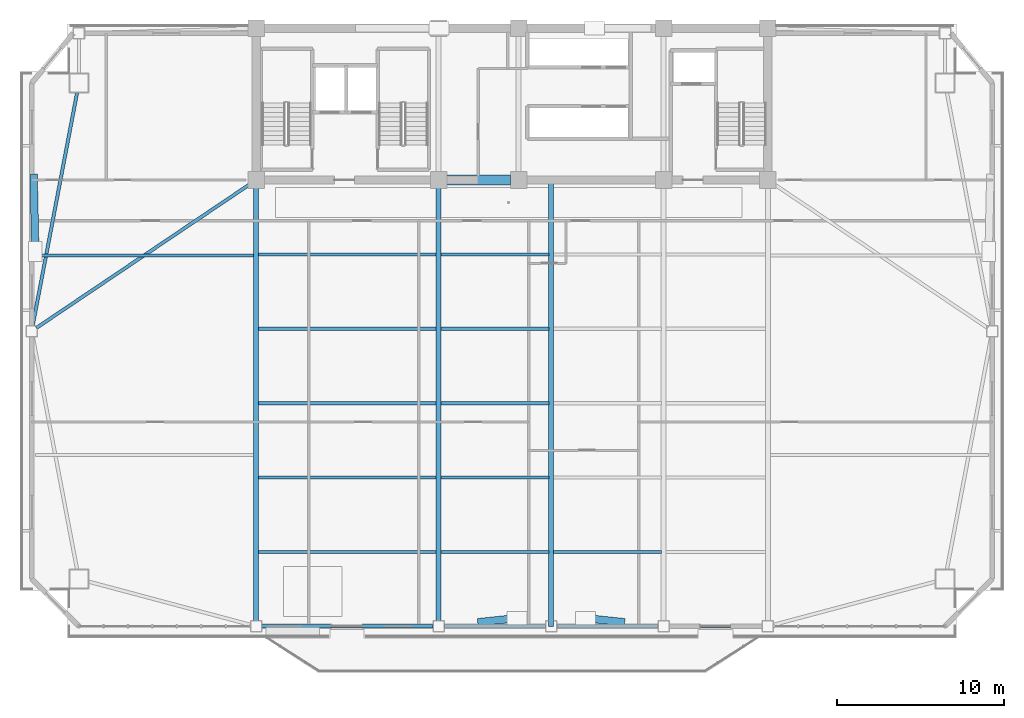
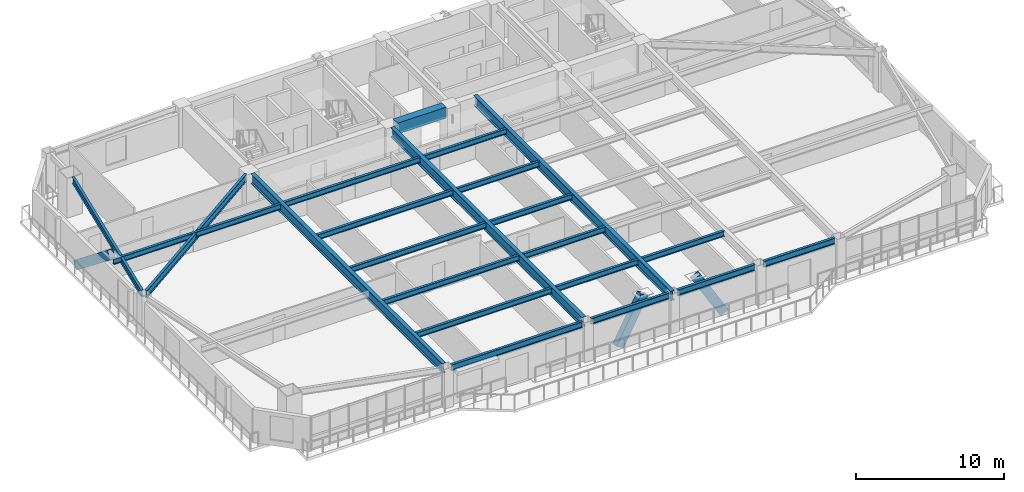
# One storey, part 3 of 17: 22 beams, 3 members.
"""IFC4 building model written with IfcOpenShell, lengths in metres."""

from ifc_helpers import new_model, si_unit, direction, frame, origin, origin_2d, place, context, subcontext, project, spatial, rectangle, hollow_rectangle, i_section, extrude, source, transform, mapped, material, material_profile, profile_set, type_object, element, save


model = new_model("IFC4")

# Units and contexts
model_context = context("Model", 3, precision=1e-05, world=origin(), true_north=direction((0.0, 1.0)))
body_context = subcontext(model_context, "Body", "Model", "MODEL_VIEW")
ifc_project = project(units=[si_unit("LENGTHUNIT", "METRE"), si_unit("AREAUNIT", "SQUARE_METRE"), si_unit("VOLUMEUNIT", "CUBIC_METRE"), si_unit("PLANEANGLEUNIT", "RADIAN"), si_unit("MASSUNIT", "GRAM", prefix="KILO")], contexts=[model_context])

# Site, building, storey
site_placement = place(None, origin())
site = spatial("IfcSite", under=ifc_project, at=site_placement, CompositionType="ELEMENT")
building_placement = place(site_placement, origin())
building = spatial("IfcBuilding", under=site, at=building_placement, Name="Giltprow Tower", CompositionType="ELEMENT")
storey_placement = place(building_placement, frame((0.0, 0.0, 195.699951171875)))
storey = spatial("IfcBuildingStorey", under=building, at=storey_placement, Name="L49", CompositionType="ELEMENT", Elevation=195.699951171875)

# Beams
ifc_material_1 = material(Name="Structural steel Q355B", Category="steel")
ifc_material_profile_1 = material_profile(ifc_material_1, i_section(OverallWidth=0.199951171875, OverallDepth=0.449951171875, WebThickness=0.009033203125, FlangeThickness=0.013916015625, at=origin_2d()), Name="HN 450x200x9x14")
ifc_profile_set_1 = profile_set([ifc_material_profile_1], Name="Structural steel Q355B")
beam_type_1 = type_object("IfcBeamType", Name="BM-JOIST-HN450", PredefinedType="JOIST", material=ifc_profile_set_1)
shared_shape_1 = source(origin(), body_context, "Body", "SweptSolid", [
    extrude(i_section(OverallWidth=0.199951171875, OverallDepth=0.449951171875, WebThickness=0.009033203125, FlangeThickness=0.013916015625, at=origin_2d()), origin(), (0.0, 0.0, 1.0), 10.659912109375),
])
for number, where, z_axis, x_axis, name in (
    (1, (19.9951171875, 15.14208984375, 3.045166015625), (1.0, 0.0, 0.0), (0.0, 1.0, 0.0), "L49 Composite Floor Joist 1-1"),
    (2, (19.9951171875, 19.60302734375, 3.045166015625), (1.0, 0.0, 0.0), (0.0, 1.0, 0.0), "L49 Composite Floor Joist 2-1"),
    (3, (19.9951171875, 24.06494140625, 3.045166015625), (1.0, 0.0, 0.0), (0.0, 1.0, 0.0), "L49 Composite Floor Joist 3-1"),
    (4, (19.9951171875, 28.527099609375, 3.045166015625), (1.0, 0.0, 0.0), (0.0, 1.0, 0.0), "L49 Composite Floor Joist 4-1"),
    (5, (19.9951171875, 32.988037109375, 3.045166015625), (1.0, 0.0, 0.0), (0.0, 1.0, 0.0), "L49 Composite Floor Joist 5-1"),
):
    element("IfcBeam", number, at=place(storey_placement, frame(where, z_axis=z_axis, x_axis=x_axis)), inside=storey, type_object=beam_type_1, Name=name, PredefinedType="JOIST", context=body_context, shape_type="MappedRepresentation", body=[
        mapped(shared_shape_1, transform((0.0, 0.0, 0.0), x_axis=(1.0, 0.0, 0.0), y_axis=(0.0, 1.0, 0.0), z_axis=(0.0, 0.0, 1.0), scale=1.0)),
    ])
shared_shape_2 = source(origin(), body_context, "Body", "SweptSolid", [
    extrude(i_section(OverallWidth=0.199951171875, OverallDepth=0.449951171875, WebThickness=0.009033203125, FlangeThickness=0.013916015625, at=origin_2d()), origin(), (0.0, 0.0, 1.0), 6.4599609375),
])
for number, where, z_axis, x_axis, name in (
    (6, (30.945068359375, 15.14208984375, 3.045166015625), (1.0, 0.0, 0.0), (0.0, 1.0, 0.0), "L49 Composite Floor Joist 1-2"),
    (7, (37.695068359375, 15.14208984375, 3.045166015625), (1.0, 0.0, 0.0), (0.0, 1.0, 0.0), "L49 Composite Floor Joist 1-3"),
    (8, (30.945068359375, 19.60302734375, 3.045166015625), (1.0, 0.0, 0.0), (0.0, 1.0, 0.0), "L49 Composite Floor Joist 2-2"),
    (9, (30.945068359375, 24.06494140625, 3.045166015625), (1.0, 0.0, 0.0), (0.0, 1.0, 0.0), "L49 Composite Floor Joist 3-2"),
    (10, (30.945068359375, 28.527099609375, 3.045166015625), (1.0, 0.0, 0.0), (0.0, 1.0, 0.0), "L49 Composite Floor Joist 4-2"),
    (11, (30.945068359375, 32.988037109375, 3.045166015625), (1.0, 0.0, 0.0), (0.0, 1.0, 0.0), "L49 Composite Floor Joist 5-2"),
):
    element("IfcBeam", number, at=place(storey_placement, frame(where, z_axis=z_axis, x_axis=x_axis)), inside=storey, type_object=beam_type_1, Name=name, PredefinedType="JOIST", context=body_context, shape_type="MappedRepresentation", body=[
        mapped(shared_shape_2, transform((0.0, 0.0, 0.0), x_axis=(1.0, 0.0, 0.0), y_axis=(0.0, 1.0, 0.0), z_axis=(0.0, 0.0, 1.0), scale=1.0)),
    ])
ifc_material_2 = material(Name="Concrete C50", Category="concrete")
ifc_material_profile_2 = material_profile(ifc_material_2, rectangle(XDim=0.60009765625, YDim=0.89990234375, at=origin_2d()), Name="RC 900x600")
ifc_profile_set_2 = profile_set([ifc_material_profile_2], Name="Concrete C50")
beam_type_2 = type_object("IfcBeamType", Name="BM-CPL-RC900", PredefinedType="LINTEL", material=ifc_profile_set_2)
shared_shape_3 = source(origin(), body_context, "Body", "SweptSolid", [
    extrude(rectangle(XDim=0.60009765625, YDim=0.89990234375, at=origin_2d()), origin(), (0.0, 0.0, 1.0), 3.830078125),
])
beam_1_placement = place(storey_placement, frame((31.284912109375, 37.449951171875, 2.820068359375), z_axis=(1.0, 0.0, 0.0), x_axis=(0.0, 1.0, 0.0)))
element("IfcBeam", 12, at=beam_1_placement, inside=storey, type_object=beam_type_2, Name="L49 Core Coupling Beam CB-1", PredefinedType="LINTEL", context=body_context, shape_type="MappedRepresentation", body=[
    mapped(shared_shape_3, transform((0.0, 0.0, 0.0), x_axis=(1.0, 0.0, 0.0), y_axis=(0.0, 1.0, 0.0), z_axis=(0.0, 0.0, 1.0), scale=1.0)),
])
ifc_material_profile_3 = material_profile(ifc_material_1, i_section(OverallWidth=0.199951171875, OverallDepth=0.5, WebThickness=0.010009765625, FlangeThickness=0.01611328125, at=origin_2d()), Name="HN 500x200x10x16")
ifc_profile_set_3 = profile_set([ifc_material_profile_3], Name="Structural steel Q355B")
beam_type_3 = type_object("IfcBeamType", Name="BM-SPAN-HN500", PredefinedType="SPANDREL", material=ifc_profile_set_3)
shared_shape_4 = source(origin(), body_context, "Body", "SweptSolid", [
    extrude(i_section(OverallWidth=0.199951171875, OverallDepth=0.5, WebThickness=0.010009765625, FlangeThickness=0.01611328125, at=origin_2d()), origin(), (0.0, 0.0, 1.0), 10.280029296875),
])
beam_2_placement = place(storey_placement, frame((20.18505859375, 10.679931640625, 3.02001953125), z_axis=(1.0, 0.0, 0.0), x_axis=(0.0, 1.0, 0.0)))
element("IfcBeam", 13, at=beam_2_placement, inside=storey, type_object=beam_type_3, Name="L49 Perimeter Spandrel Beam S1-S2", PredefinedType="SPANDREL", context=body_context, shape_type="MappedRepresentation", body=[
    mapped(shared_shape_4, transform((0.0, 0.0, 0.0), x_axis=(1.0, 0.0, 0.0), y_axis=(0.0, 1.0, 0.0), z_axis=(0.0, 0.0, 1.0), scale=1.0)),
])
shared_shape_5 = source(origin(), body_context, "Body", "SweptSolid", [
    extrude(i_section(OverallWidth=0.199951171875, OverallDepth=0.5, WebThickness=0.010009765625, FlangeThickness=0.01611328125, at=origin_2d()), origin(), (0.0, 0.0, 1.0), 6.080078125),
])
for number, where, z_axis, x_axis, name in (
    (14, (31.135009765625, 10.679931640625, 3.02001953125), (1.0, 0.0, 0.0), (0.0, 1.0, 0.0), "L49 Perimeter Spandrel Beam S2-S_MID"),
    (15, (37.885009765625, 10.679931640625, 3.02001953125), (1.0, 0.0, 0.0), (0.0, 1.0, 0.0), "L49 Perimeter Spandrel Beam S_MID-S3"),
):
    element("IfcBeam", number, at=place(storey_placement, frame(where, z_axis=z_axis, x_axis=x_axis)), inside=storey, type_object=beam_type_3, Name=name, PredefinedType="SPANDREL", context=body_context, shape_type="MappedRepresentation", body=[
        mapped(shared_shape_5, transform((0.0, 0.0, 0.0), x_axis=(1.0, 0.0, 0.0), y_axis=(0.0, 1.0, 0.0), z_axis=(0.0, 0.0, 1.0), scale=1.0)),
    ])
shared_shape_6 = source(origin(), body_context, "Body", "SweptSolid", [
    extrude(i_section(OverallWidth=0.199951171875, OverallDepth=0.5, WebThickness=0.010009765625, FlangeThickness=0.01611328125, at=origin_2d()), origin(), (0.0, 0.0, 1.0), 5.580078125),
])
beam_3_placement = place(storey_placement, frame((44.635009765625, 10.679931640625, 3.02001953125), z_axis=(1.0, 0.0, 0.0), x_axis=(0.0, 1.0, 0.0)))
element("IfcBeam", 16, at=beam_3_placement, inside=storey, type_object=beam_type_3, Name="L49 Perimeter Spandrel Beam S3-S4", PredefinedType="SPANDREL", context=body_context, shape_type="MappedRepresentation", body=[
    mapped(shared_shape_6, transform((0.0, 0.0, 0.0), x_axis=(1.0, 0.0, 0.0), y_axis=(0.0, 1.0, 0.0), z_axis=(0.0, 0.0, 1.0), scale=1.0)),
])
shared_shape_7 = source(origin(), body_context, "Body", "SweptSolid", [
    extrude(i_section(OverallWidth=0.199951171875, OverallDepth=0.5, WebThickness=0.010009765625, FlangeThickness=0.01611328125, at=origin_2d()), origin(), (0.0, 0.0, 1.0), 14.222412109375),
])
beam_4_placement = place(storey_placement, frame((9.114013671875, 42.68994140625, 3.02001953125), z_axis=(-0.187178367581, -0.982325943213, 0.0), x_axis=(0.982325943213, -0.187178367581, 0.0)))
element("IfcBeam", 17, at=beam_4_placement, inside=storey, type_object=beam_type_3, Name="L49 Perimeter Spandrel Beam MC_NW-W_MID", PredefinedType="SPANDREL", context=body_context, shape_type="MappedRepresentation", body=[
    mapped(shared_shape_7, transform((0.0, 0.0, 0.0), x_axis=(1.0, 0.0, 0.0), y_axis=(0.0, 1.0, 0.0), z_axis=(0.0, 0.0, 1.0), scale=1.0)),
])
ifc_material_profile_4 = material_profile(ifc_material_1, i_section(OverallWidth=0.300048828125, OverallDepth=0.800048828125, WebThickness=0.013916015625, FlangeThickness=0.02587890625, at=origin_2d()), Name="HN 800x300x14x26")
ifc_profile_set_4 = profile_set([ifc_material_profile_4], Name="Structural steel Q355B")
beam_type_4 = type_object("IfcBeamType", Name="BM-GIRD-HN800", PredefinedType="BEAM", material=ifc_profile_set_4)
shared_shape_8 = source(origin(), body_context, "Body", "SweptSolid", [
    extrude(i_section(OverallWidth=0.300048828125, OverallDepth=0.800048828125, WebThickness=0.013916015625, FlangeThickness=0.02587890625, at=origin_2d()), origin(), (0.0, 0.0, 1.0), 25.9501953125),
])
for number, where, z_axis, x_axis, name in (
    (18, (19.85009765625, 11.014892578125, 2.8701171875), (0.0, 1.0, 0.0), (-1.0, 0.0, 0.0), "L49 Primary Lease Girder S1"),
    (19, (30.800048828125, 11.014892578125, 2.8701171875), (0.0, 1.0, 0.0), (-1.0, 0.0, 0.0), "L49 Primary Lease Girder S2"),
):
    element("IfcBeam", number, at=place(storey_placement, frame(where, z_axis=z_axis, x_axis=x_axis)), inside=storey, type_object=beam_type_4, Name=name, PredefinedType="BEAM", context=body_context, shape_type="MappedRepresentation", body=[
        mapped(shared_shape_8, transform((0.0, 0.0, 0.0), x_axis=(1.0, 0.0, 0.0), y_axis=(0.0, 1.0, 0.0), z_axis=(0.0, 0.0, 1.0), scale=1.0)),
    ])
shared_shape_9 = source(origin(), body_context, "Body", "SweptSolid", [
    extrude(i_section(OverallWidth=0.300048828125, OverallDepth=0.800048828125, WebThickness=0.013916015625, FlangeThickness=0.02587890625, at=origin_2d()), origin(), (0.0, 0.0, 1.0), 26.77001953125),
])
beam_5_placement = place(storey_placement, frame((37.550048828125, 10.679931640625, 2.8701171875), z_axis=(0.0, 1.0, 0.0), x_axis=(-1.0, 0.0, 0.0)))
element("IfcBeam", 20, at=beam_5_placement, inside=storey, type_object=beam_type_4, Name="L49 Central Lease Girder SMID", PredefinedType="BEAM", context=body_context, shape_type="MappedRepresentation", body=[
    mapped(shared_shape_9, transform((0.0, 0.0, 0.0), x_axis=(1.0, 0.0, 0.0), y_axis=(0.0, 1.0, 0.0), z_axis=(0.0, 0.0, 1.0), scale=1.0)),
])
ifc_material_profile_5 = material_profile(ifc_material_1, i_section(OverallWidth=0.199951171875, OverallDepth=0.60009765625, WebThickness=0.010986328125, FlangeThickness=0.01708984375, at=origin_2d()), Name="HN 600x200x11x17")
ifc_profile_set_5 = profile_set([ifc_material_profile_5], Name="Structural steel Q355B")
beam_type_5 = type_object("IfcBeamType", Name="BM-GIRD-HN600", PredefinedType="BEAM", material=ifc_profile_set_5)
shared_shape_10 = source(origin(), body_context, "Body", "SweptSolid", [
    extrude(i_section(OverallWidth=0.199951171875, OverallDepth=0.60009765625, WebThickness=0.010986328125, FlangeThickness=0.01708984375, at=origin_2d()), origin(), (0.0, 0.0, 1.0), 15.40625),
])
beam_6_placement = place(storey_placement, frame((6.6669921875, 28.576904296875, 2.969970703125), z_axis=(0.829604263751, 0.558351829554, 0.0), x_axis=(-0.558351829554, 0.829604263751, 0.0)))
element("IfcBeam", 21, at=beam_6_placement, inside=storey, type_object=beam_type_5, Name="L49 West Wing Primary Girder", PredefinedType="BEAM", context=body_context, shape_type="MappedRepresentation", body=[
    mapped(shared_shape_10, transform((0.0, 0.0, 0.0), x_axis=(1.0, 0.0, 0.0), y_axis=(0.0, 1.0, 0.0), z_axis=(0.0, 0.0, 1.0), scale=1.0)),
])
shared_shape_11 = source(origin(), body_context, "Body", "SweptSolid", [
    extrude(i_section(OverallWidth=0.199951171875, OverallDepth=0.449951171875, WebThickness=0.009033203125, FlangeThickness=0.013916015625, at=origin_2d()), origin(), (0.0, 0.0, 1.0), 13.09619140625),
])
beam_7_placement = place(storey_placement, frame((6.60888671875, 32.919921875, 3.045166015625), z_axis=(1.0, 0.0, 0.0), x_axis=(0.0, 1.0, 0.0)))
element("IfcBeam", 22, at=beam_7_placement, inside=storey, type_object=beam_type_1, Name="L49 West Wing Floor Joist 2", PredefinedType="JOIST", context=body_context, shape_type="MappedRepresentation", body=[
    mapped(shared_shape_11, transform((0.0, 0.0, 0.0), x_axis=(1.0, 0.0, 0.0), y_axis=(0.0, 1.0, 0.0), z_axis=(0.0, 0.0, 1.0), scale=1.0)),
])

# Members
ifc_material_3 = material(Name="Structural steel Q420GJC", Category="steel")
ifc_material_profile_6 = material_profile(ifc_material_3, hollow_rectangle(XDim=0.449951171875, YDim=0.699951171875, WallThickness=0.031982421875, at=origin_2d()), Name="RHS 700x450x32")
ifc_profile_set_6 = profile_set([ifc_material_profile_6], Name="Structural steel Q420GJC")
member_type = type_object("IfcMemberType", Name="MBR-MEGA-RHS700", PredefinedType="BRACE", material=ifc_profile_set_6)
shared_shape_12 = source(origin(), body_context, "Body", "SweptSolid", [
    extrude(hollow_rectangle(XDim=0.449951171875, YDim=0.699951171875, WallThickness=0.031982421875, at=origin_2d()), origin(), (0.0, 0.0, 1.0), 4.064453125),
])
for number, where, z_axis, x_axis, name in (
    (23, (33.44091796875, 10.9560546875, 0.0), (0.505644393667, 0.052859000526, 0.861121172203), (-0.103971330396, 0.994580294625, 0.0), "L49 Chevron Mega-Brace S-L"),
    (24, (41.658935546875, 10.9560546875, 0.0), (-0.505599682301, 0.052860605967, 0.8611473263), (-0.103983549381, -0.994579017202, 0.0), "L49 Chevron Mega-Brace S-R"),
):
    element("IfcMember", number, at=place(storey_placement, frame(where, z_axis=z_axis, x_axis=x_axis)), inside=storey, type_object=member_type, Name=name, PredefinedType="BRACE", context=body_context, shape_type="MappedRepresentation", body=[
        mapped(shared_shape_12, transform((0.0, 0.0, 0.0), x_axis=(1.0, 0.0, 0.0), y_axis=(0.0, 1.0, 0.0), z_axis=(0.0, 0.0, 1.0), scale=1.0)),
    ])
shared_shape_13 = source(origin(), body_context, "Body", "SweptSolid", [
    extrude(hollow_rectangle(XDim=0.449951171875, YDim=0.699951171875, WallThickness=0.031982421875, at=origin_2d()), origin(), (0.0, 0.0, 1.0), 5.637939453125),
])
member_placement = place(storey_placement, frame((6.511962890625, 37.58203125, 0.0), z_axis=(0.016845001362, -0.783790551793, 0.620796759696), x_axis=(0.999769133116, 0.021486750982, 0.0)))
element("IfcMember", 25, at=member_placement, inside=storey, type_object=member_type, Name="L49 Chevron Mega-Brace W-R", PredefinedType="BRACE", context=body_context, shape_type="MappedRepresentation", body=[
    mapped(shared_shape_13, transform((0.0, 0.0, 0.0), x_axis=(1.0, 0.0, 0.0), y_axis=(0.0, 1.0, 0.0), z_axis=(0.0, 0.0, 1.0), scale=1.0)),
])

save(model, "model.ifc")
